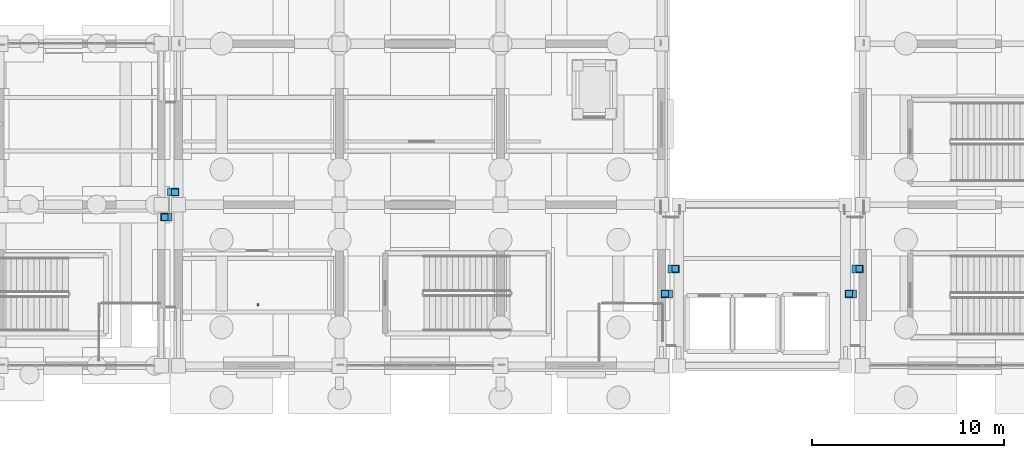
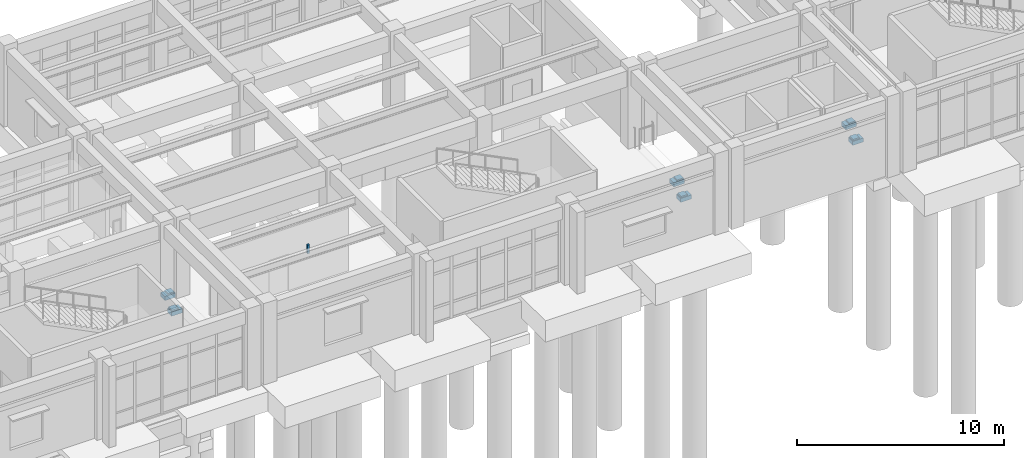
# One storey, part 92 of 111: 13 discrete accessories.
"""IFC4 building model written with IfcOpenShell, lengths in metres."""

from ifc_helpers import new_model, si_unit, direction, frame, origin, origin_2d, place, context, subcontext, project, spatial, rectangle, extrude, material, layer, layer_set, type_object, element, save


model = new_model("IFC4")

# Units and contexts
model_context = context("Model", 3, precision=1e-05, world=origin(), true_north=direction((0.0, 1.0)))
body_context = subcontext(model_context, "Body", "Model", "MODEL_VIEW")
ifc_project = project(units=[si_unit("LENGTHUNIT", "METRE"), si_unit("AREAUNIT", "SQUARE_METRE"), si_unit("VOLUMEUNIT", "CUBIC_METRE"), si_unit("PLANEANGLEUNIT", "RADIAN"), si_unit("MASSUNIT", "GRAM", prefix="KILO")], contexts=[model_context])

# Site, building, storey
site_placement = place(None, origin())
site = spatial("IfcSite", under=ifc_project, at=site_placement, CompositionType="ELEMENT")
building_placement = place(site_placement, origin())
building = spatial("IfcBuilding", under=site, at=building_placement, Name="Canglan Escarpment Cableway Terminal", CompositionType="ELEMENT")
storey_placement = place(building_placement, frame((0.0, 0.0, 4.800048828125)))
storey = spatial("IfcBuildingStorey", under=building, at=storey_placement, Name="L01", CompositionType="ELEMENT", Elevation=4.800048828125)

# Discrete accessories
ifc_material_1 = material(Name="Steel Q355B", Category="steel")
ifc_layer_1 = layer(ifc_material_1, 0.159912109375, Name="Steel Q355B")
ifc_layer_set_1 = layer_set([ifc_layer_1], Name="Steel Q355B")
discrete_accessory_type_1 = type_object("IfcDiscreteAccessoryType", Name="ACC-BRACKET-01", PredefinedType="BRACKET", material=ifc_layer_set_1)
discrete_accessory_placement = place(storey_placement, frame((115.64990234375, 11.17578125, 4.06005859375), z_axis=(0.0, 0.0, 1.0), x_axis=(1.0, 0.0, 0.0)))
element("IfcDiscreteAccessory", 1, at=discrete_accessory_placement, inside=storey, type_object=discrete_accessory_type_1, Name="Suspended ceiling hanger bracket BK-01", PredefinedType="BRACKET", context=body_context, shape_type="SweptSolid", body=[
    extrude(rectangle(XDim=0.1201171875, YDim=0.1201171875, at=origin_2d()), origin(), (0.0, 0.0, 1.0), 0.510009765625),
])
ifc_material_2 = material(Name="Concrete C40", Category="concrete")
ifc_layer_2 = layer(ifc_material_2, 0.239990234375, Name="Concrete C40")
ifc_layer_set_2 = layer_set([ifc_layer_2], Name="Concrete C40")
discrete_accessory_type_2 = type_object("IfcDiscreteAccessoryType", Name="ACC-CORBEL-CB01", PredefinedType="BRACKET", material=ifc_layer_set_2)
for number, where, z_axis, x_axis, name in (
    (2, (110.864990234375, 15.75, -0.5400390625), (0.0, 0.0, 1.0), (1.0, 0.0, 0.0), "Concrete C40 movement-joint corbel bearing ledge CB-01"),
    (3, (111.235107421875, 17.050048828125, -0.5400390625), (0.0, 0.0, 1.0), (1.0, 0.0, 0.0), "Concrete C40 movement-joint corbel bearing ledge CB-01"),
    (4, (136.965087890625, 11.75, -0.5400390625), (0.0, 0.0, 1.0), (1.0, 0.0, 0.0), "Concrete C40 movement-joint corbel bearing ledge CB-01"),
    (5, (137.3349609375, 13.050048828125, -0.5400390625), (0.0, 0.0, 1.0), (1.0, 0.0, 0.0), "Concrete C40 movement-joint corbel bearing ledge CB-01"),
    (6, (146.56494140625, 11.75, -0.5400390625), (0.0, 0.0, 1.0), (1.0, 0.0, 0.0), "Concrete C40 movement-joint corbel bearing ledge CB-01"),
    (7, (146.93505859375, 13.050048828125, -0.5400390625), (0.0, 0.0, 1.0), (1.0, 0.0, 0.0), "Concrete C40 movement-joint corbel bearing ledge CB-01"),
):
    element("IfcDiscreteAccessory", number, at=place(storey_placement, frame(where, z_axis=z_axis, x_axis=x_axis)), inside=storey, type_object=discrete_accessory_type_2, Name=name, PredefinedType="BRACKET", context=body_context, shape_type="SweptSolid", body=[
        extrude(rectangle(XDim=0.60009765625, YDim=0.419921875, at=origin_2d()), origin(), (0.0, 0.0, 1.0), 0.239990234375),
    ])
ifc_material_3 = material(Name="Stainless steel and PTFE elastomer", Category="steel")
ifc_layer_3 = layer(ifc_material_3, 0.080078125, Name="Stainless steel and PTFE elastomer")
ifc_layer_set_3 = layer_set([ifc_layer_3], Name="Stainless steel and PTFE elastomer")
discrete_accessory_type_3 = type_object("IfcDiscreteAccessoryType", Name="BRG-SLIDING-MJ01", PredefinedType="USERDEFINED", material=ifc_layer_set_3)
for number, where, z_axis, x_axis, name in (
    (8, (110.784912109375, 15.75, -0.300048828125), (0.0, 0.0, 1.0), (1.0, 0.0, 0.0), "Unguided PTFE-elastomeric sliding bearing pad MJ-01"),
    (9, (111.31494140625, 17.050048828125, -0.300048828125), (0.0, 0.0, 1.0), (1.0, 0.0, 0.0), "Unguided PTFE-elastomeric sliding bearing pad MJ-01"),
    (10, (136.885009765625, 11.75, -0.300048828125), (0.0, 0.0, 1.0), (1.0, 0.0, 0.0), "Unguided PTFE-elastomeric sliding bearing pad MJ-01"),
    (11, (137.4150390625, 13.050048828125, -0.300048828125), (0.0, 0.0, 1.0), (1.0, 0.0, 0.0), "Unguided PTFE-elastomeric sliding bearing pad MJ-01"),
    (12, (146.485107421875, 11.75, -0.300048828125), (0.0, 0.0, 1.0), (1.0, 0.0, 0.0), "Unguided PTFE-elastomeric sliding bearing pad MJ-01"),
    (13, (147.014892578125, 13.050048828125, -0.300048828125), (0.0, 0.0, 1.0), (1.0, 0.0, 0.0), "Unguided PTFE-elastomeric sliding bearing pad MJ-01"),
):
    element("IfcDiscreteAccessory", number, at=place(storey_placement, frame(where, z_axis=z_axis, x_axis=x_axis)), inside=storey, type_object=discrete_accessory_type_3, Name=name, ObjectType="SLIDING BEARING", PredefinedType="USERDEFINED", context=body_context, shape_type="SweptSolid", body=[
        extrude(rectangle(XDim=0.35009765625, YDim=0.35009765625, at=origin_2d()), origin(), (0.0, 0.0, 1.0), 0.080078125),
    ])

save(model, "model.ifc")
